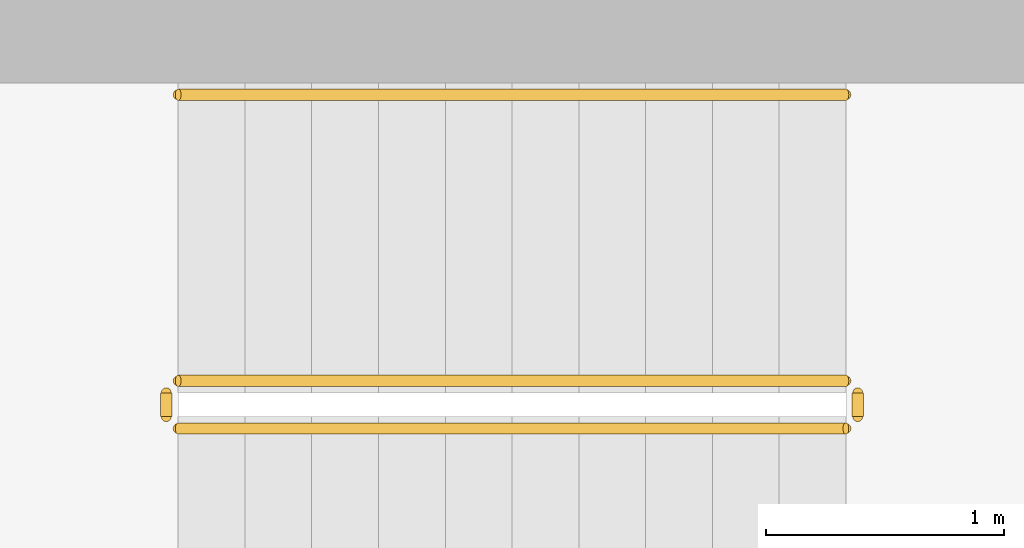
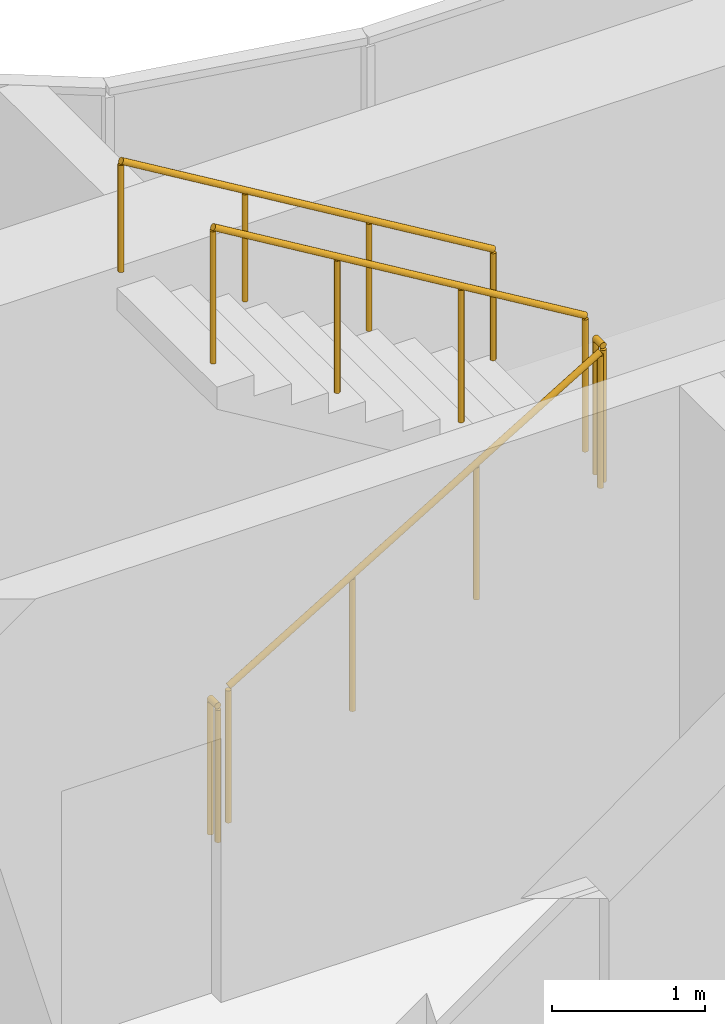
# One storey, part 17 of 21: 5 railings.
"""IFC4 building model written with IfcOpenShell, lengths in metres."""

from ifc_helpers import new_model, si_unit, direction, frame, origin, origin_2d, place, context, subcontext, project, spatial, circle, extrude, material, type_object, element, save


model = new_model("IFC4")

# Units and contexts
model_context = context("Model", 3, precision=1e-05, world=origin(), true_north=direction((0.0, 1.0)))
body_context = subcontext(model_context, "Body", "Model", "MODEL_VIEW")
ifc_project = project(units=[si_unit("LENGTHUNIT", "METRE"), si_unit("AREAUNIT", "SQUARE_METRE"), si_unit("VOLUMEUNIT", "CUBIC_METRE"), si_unit("PLANEANGLEUNIT", "RADIAN"), si_unit("MASSUNIT", "GRAM", prefix="KILO")], contexts=[model_context])

# Site, building, storey
site_placement = place(None, origin())
site = spatial("IfcSite", under=ifc_project, at=site_placement, CompositionType="ELEMENT")
building_placement = place(site_placement, origin())
building = spatial("IfcBuilding", under=site, at=building_placement, Name="Ogive Portal Towers", CompositionType="ELEMENT")
storey_placement = place(building_placement, frame((0.0, 0.0, 109.300048828125)))
storey = spatial("IfcBuildingStorey", under=building, at=storey_placement, Name="L26", CompositionType="ELEMENT", Elevation=109.300048828125)

# Railings
ifc_material_1 = material(Name="Stainless steel balustrade", Category="steel")
railing_type_1 = type_object("IfcRailingType", Name="INT-GUARD", PredefinedType="GUARDRAIL", material=ifc_material_1)
railing_1_placement = place(storey_placement, frame((52.550048828125, 37.60009765625, 0.168212890625)))
element("IfcRailing", 1, at=railing_1_placement, inside=storey, type_object=railing_type_1, Name="L26 ST-A2 stair guard 1", PredefinedType="GUARDRAIL", context=body_context, shape_type="SweptSolid", body=[
    extrude(circle(Radius=0.02392578125, at=origin_2d()), frame((0.0, 0.0, 1.076171875), z_axis=(0.857275202839, 0.0, 0.514858452973), x_axis=(0.0, 1.0, 0.0)), (0.0, 0.0, 1.0), 3.26611328125),
    extrude(circle(Radius=0.02099609375, at=origin_2d()), origin(), (0.0, 0.0, 1.0), 1.052001953125),
    extrude(circle(Radius=0.02099609375, at=origin_2d()), frame((0.933349609375, 0.0, 0.560546875)), (0.0, 0.0, 1.0), 1.052001953125),
    extrude(circle(Radius=0.02099609375, at=origin_2d()), frame((1.86669921875, 0.0, 1.12109375)), (0.0, 0.0, 1.0), 1.052001953125),
    extrude(circle(Radius=0.02099609375, at=origin_2d()), frame((2.800048828125, 0.0, 1.681640625)), (0.0, 0.0, 1.0), 1.052001953125),
])
railing_2_placement = place(storey_placement, frame((55.39990234375, 37.64990234375, 1.849853515625)))
element("IfcRailing", 2, at=railing_2_placement, inside=storey, type_object=railing_type_1, Name="L26 ST-A2 stair guard 2", PredefinedType="GUARDRAIL", context=body_context, shape_type="SweptSolid", body=[
    extrude(circle(Radius=0.02392578125, at=origin_2d()), frame((0.0, 0.0, 1.076171875), z_axis=(0.0, 1.0, 0.0), x_axis=(-1.0, 0.0, 0.0)), (0.0, 0.0, 1.0), 0.10009765625),
    extrude(circle(Radius=0.02099609375, at=origin_2d()), origin(), (0.0, 0.0, 1.0), 1.052001953125),
    extrude(circle(Radius=0.02099609375, at=origin_2d()), frame((0.0, 0.10009765625, 0.0)), (0.0, 0.0, 1.0), 1.052001953125),
])
railing_3_placement = place(storey_placement, frame((55.35009765625, 37.800048828125, 2.01806640625)))
element("IfcRailing", 3, at=railing_3_placement, inside=storey, type_object=railing_type_1, Name="L26 ST-A2 stair guard 3", PredefinedType="GUARDRAIL", context=body_context, shape_type="SweptSolid", body=[
    extrude(circle(Radius=0.02392578125, at=origin_2d()), frame((0.0, 0.0, 1.076171875), z_axis=(-0.857242210791, 0.0, 0.514913383045), x_axis=(0.0, -1.0, 0.0)), (0.0, 0.0, 1.0), 3.266357421875),
    extrude(circle(Radius=0.02099609375, at=origin_2d()), origin(), (0.0, 0.0, 1.0), 1.052001953125),
    extrude(circle(Radius=0.02099609375, at=origin_2d()), frame((-0.933349609375, 0.0, 0.560546875)), (0.0, 0.0, 1.0), 1.052001953125),
    extrude(circle(Radius=0.02099609375, at=origin_2d()), frame((-1.86669921875, 0.0, 1.121337890625)), (0.0, 0.0, 1.0), 1.052001953125),
    extrude(circle(Radius=0.02099609375, at=origin_2d()), frame((-2.800048828125, 0.0, 1.681884765625)), (0.0, 0.0, 1.0), 1.052001953125),
])
railing_4_placement = place(storey_placement, frame((52.5, 37.64990234375, 0.0)))
element("IfcRailing", 4, at=railing_4_placement, inside=storey, type_object=railing_type_1, Name="L26 ST-A2 stair guard 4", PredefinedType="GUARDRAIL", context=body_context, shape_type="SweptSolid", body=[
    extrude(circle(Radius=0.02392578125, at=origin_2d()), frame((0.0, 0.0, 1.076171875), z_axis=(0.0, 1.0, 0.0), x_axis=(-1.0, 0.0, 0.0)), (0.0, 0.0, 1.0), 0.10009765625),
    extrude(circle(Radius=0.02099609375, at=origin_2d()), origin(), (0.0, 0.0, 1.0), 1.052001953125),
    extrude(circle(Radius=0.02099609375, at=origin_2d()), frame((0.0, 0.10009765625, 0.0)), (0.0, 0.0, 1.0), 1.052001953125),
])
ifc_material_2 = material(Name="Stainless steel handrail", Category="steel")
railing_type_2 = type_object("IfcRailingType", Name="INT-HANDRAIL", PredefinedType="HANDRAIL", material=ifc_material_2)
railing_5_placement = place(storey_placement, frame((55.35009765625, 39.0, 2.01806640625)))
element("IfcRailing", 5, at=railing_5_placement, inside=storey, type_object=railing_type_2, Name="L26 ST-A2 stair handrail 2", PredefinedType="HANDRAIL", context=body_context, shape_type="SweptSolid", body=[
    extrude(circle(Radius=0.02392578125, at=origin_2d()), frame((0.0, 0.0, 0.8759765625), z_axis=(-0.857242210791, 0.0, 0.514913383045), x_axis=(0.0, -1.0, 0.0)), (0.0, 0.0, 1.0), 3.266357421875),
    extrude(circle(Radius=0.02099609375, at=origin_2d()), origin(), (0.0, 0.0, 1.0), 0.851806640625),
    extrude(circle(Radius=0.02099609375, at=origin_2d()), frame((-0.933349609375, 0.0, 0.560546875)), (0.0, 0.0, 1.0), 0.851806640625),
    extrude(circle(Radius=0.02099609375, at=origin_2d()), frame((-1.86669921875, 0.0, 1.121337890625)), (0.0, 0.0, 1.0), 0.851806640625),
    extrude(circle(Radius=0.02099609375, at=origin_2d()), frame((-2.800048828125, 0.0, 1.681884765625)), (0.0, 0.0, 1.0), 0.851806640625),
])

save(model, "model.ifc")
